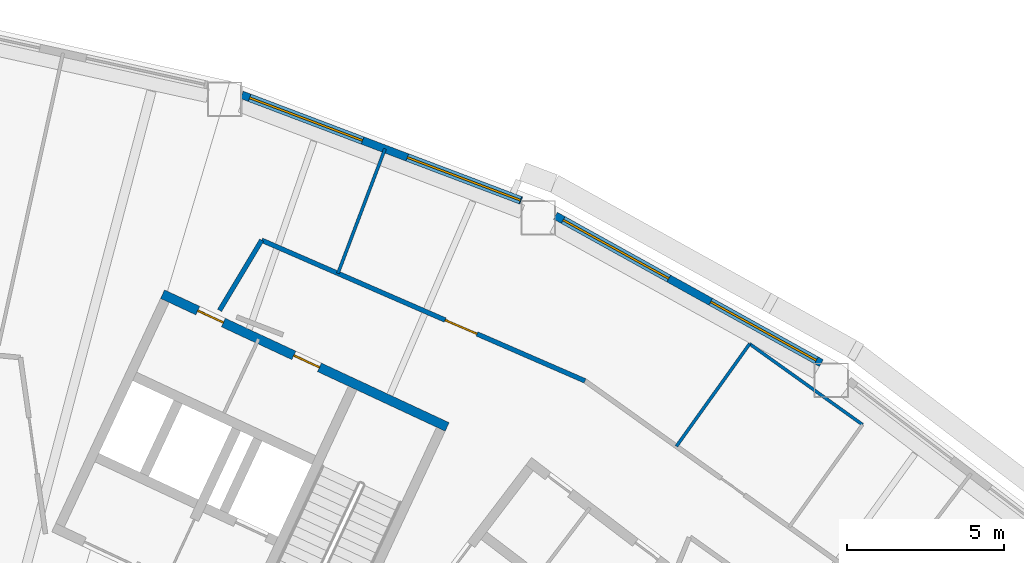
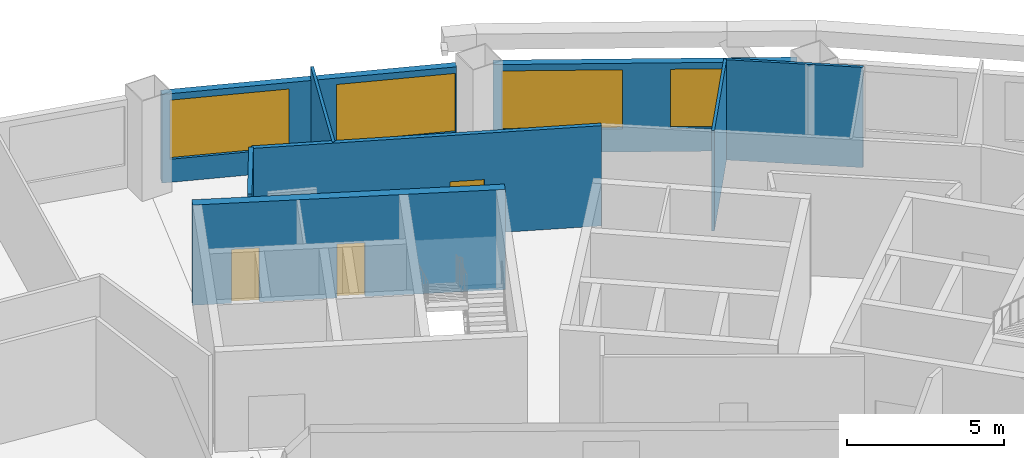
# One storey, part 8 of 13: 8 walls, 4 windows, 3 doors, 7 openings.
"""IFC4 building model written with IfcOpenShell, lengths in metres."""

from ifc_helpers import new_model, si_unit, direction, frame, frame_2d, origin, place, context, subcontext, project, spatial, rectangle, extrude, material, layer, layer_set, type_object, element, fill, save


model = new_model("IFC4")

# Units and contexts
model_context = context("Model", 3, precision=1e-05, world=origin(), true_north=direction((0.0, 1.0)))
body_context = subcontext(model_context, "Body", "Model", "MODEL_VIEW")
ifc_project = project(units=[si_unit("LENGTHUNIT", "METRE"), si_unit("AREAUNIT", "SQUARE_METRE"), si_unit("VOLUMEUNIT", "CUBIC_METRE"), si_unit("PLANEANGLEUNIT", "RADIAN"), si_unit("MASSUNIT", "GRAM", prefix="KILO")], contexts=[model_context])

# Site, building, storey
site_placement = place(None, origin())
site = spatial("IfcSite", under=ifc_project, at=site_placement, CompositionType="ELEMENT")
building_placement = place(site_placement, origin())
building = spatial("IfcBuilding", under=site, at=building_placement, Name="Tuul Gate Civic Tower", CompositionType="ELEMENT")
storey_placement = place(building_placement, frame((0.0, 0.0, 111.89990234375)))
storey = spatial("IfcBuildingStorey", under=building, at=storey_placement, Name="Level 25", CompositionType="ELEMENT", Elevation=111.89990234375)

# Wall, openings, doors
ifc_material_1 = material(Name="Concrete C50/60", Category="concrete")
ifc_layer_1 = layer(ifc_material_1, 0.300048828125)
ifc_layer_set_1 = layer_set([ifc_layer_1], Name="Concrete C50/60")
wall_type_1 = type_object("IfcWallType", Name="Core wall C50/60", PredefinedType="SHEAR", material=ifc_layer_set_1)
wall_1_placement = place(storey_placement, frame((37.993408203125, 0.181884765625, 0.0), z_axis=(0.0, 0.0, 1.0), x_axis=(-0.906310338845, 0.422612789327, 0.0)))
wall_1 = element("IfcWall", 1, at=wall_1_placement, inside=storey, type_object=wall_type_1, Name="Core wall", PredefinedType="SHEAR", context=body_context, shape_type="SweptSolid", body=[
    extrude(rectangle(XDim=9.999755859375, YDim=0.300048828125, at=frame_2d((5.0, 0.0))), origin(), (0.0, 0.0, 1.0), 3.900146484375),
])
opening_1_placement = place(wall_1_placement, frame((4.487548828125, 0.0, 0.0)))
opening_1 = element("IfcOpeningElement", 2, at=opening_1_placement, cuts=wall_1, Name="Opening H-D22", PredefinedType="OPENING", context=body_context, shape_type="SweptSolid", body=[
    extrude(rectangle(XDim=0.89990234375, YDim=2.10009765625, at=frame_2d((0.449951171875, 1.050048828125))), frame((0.0, 0.16015625, 0.0), z_axis=(0.0, -1.0, 0.0), x_axis=(1.0, 0.0, 0.0)), (0.0, 0.0, 1.0), 0.320068359375),
])
opening_2_placement = place(wall_1_placement, frame((7.862548828125, 0.0, 0.0)))
opening_2 = element("IfcOpeningElement", 3, at=opening_2_placement, cuts=wall_1, Name="Opening H-D23", PredefinedType="OPENING", context=body_context, shape_type="SweptSolid", body=[
    extrude(rectangle(XDim=0.89990234375, YDim=2.10009765625, at=frame_2d((0.449951171875, 1.050048828125))), frame((0.0, 0.16015625, 0.0), z_axis=(0.0, -1.0, 0.0), x_axis=(1.0, 0.0, 0.0)), (0.0, 0.0, 1.0), 0.320068359375),
])
ifc_material_2 = material(Name="Timber door leaf", Category="wood")
door_type_1 = type_object("IfcDoorType", Name="Door D09", OperationType="NOTDEFINED", PredefinedType="DOOR", material=ifc_material_2)
door_1_placement = place(opening_1_placement, origin())
door_1 = element("IfcDoor", 4, at=door_1_placement, inside=storey, type_object=door_type_1, Name="Door H-D22", OperationType="SINGLE_SWING_LEFT", OverallHeight=2.10009765625, OverallWidth=0.89990234375, PredefinedType="DOOR", context=body_context, shape_type="SweptSolid", body=[
    extrude(rectangle(XDim=0.89990234375, YDim=2.10009765625, at=frame_2d((0.449951171875, 1.050048828125))), frame((0.0, 0.02490234375, 0.0), z_axis=(0.0, -1.0, 0.0), x_axis=(1.0, 0.0, 0.0)), (0.0, 0.0, 1.0), 0.050048828125),
])
fill(opening_1, door_1)
door_2_placement = place(opening_2_placement, origin())
door_2 = element("IfcDoor", 5, at=door_2_placement, inside=storey, type_object=door_type_1, Name="Door H-D23", OperationType="SINGLE_SWING_RIGHT", OverallHeight=2.10009765625, OverallWidth=0.89990234375, PredefinedType="DOOR", context=body_context, shape_type="SweptSolid", body=[
    extrude(rectangle(XDim=0.89990234375, YDim=2.10009765625, at=frame_2d((0.449951171875, 1.050048828125))), frame((0.0, 0.02490234375, 0.0), z_axis=(0.0, -1.0, 0.0), x_axis=(1.0, 0.0, 0.0)), (0.0, 0.0, 1.0), 0.050048828125),
])
fill(opening_2, door_2)

# Wall, opening, door
ifc_material_3 = material(Name="Gypsum board partition")
ifc_layer_2 = layer(ifc_material_3, 0.14990234375)
ifc_layer_set_2 = layer_set([ifc_layer_2], Name="Gypsum board partition")
wall_type_2 = type_object("IfcWallType", Name="Corridor wall P150", PredefinedType="PARTITIONING", material=ifc_layer_set_2)
wall_2_placement = place(storey_placement, frame((32.088134765625, 6.127197265625, 0.0), z_axis=(0.0, 0.0, 1.0), x_axis=(0.916937971515, -0.399029768807, 0.0)))
wall_2 = element("IfcWall", 6, at=wall_2_placement, inside=storey, type_object=wall_type_2, Name="p015", PredefinedType="PARTITIONING", context=body_context, shape_type="SweptSolid", body=[
    extrude(rectangle(XDim=11.229736328125, YDim=0.14990234375, at=frame_2d((5.61474609375, 0.0))), origin(), (0.0, 0.0, 1.0), 3.900146484375),
])
opening_3_placement = place(wall_2_placement, frame((6.373291015625, 0.0, 0.0)))
opening_3 = element("IfcOpeningElement", 7, at=opening_3_placement, cuts=wall_2, Name="Opening H-D16", PredefinedType="OPENING", context=body_context, shape_type="SweptSolid", body=[
    extrude(rectangle(XDim=1.10009765625, YDim=2.10009765625, at=frame_2d((0.550048828125, 1.050048828125))), frame((0.0, 0.0849609375, 0.0), z_axis=(0.0, -1.0, 0.0), x_axis=(1.0, 0.0, 0.0)), (0.0, 0.0, 1.0), 0.169921875),
])
ifc_material_4 = material(Name="Timber door leaf", Category="wood")
door_type_2 = type_object("IfcDoorType", Name="Door D11", OperationType="NOTDEFINED", PredefinedType="DOOR", material=ifc_material_4)
door_3_placement = place(opening_3_placement, origin())
door_3 = element("IfcDoor", 8, at=door_3_placement, inside=storey, type_object=door_type_2, Name="Door H-D16", OperationType="SINGLE_SWING_RIGHT", OverallHeight=2.10009765625, OverallWidth=1.10009765625, PredefinedType="DOOR", context=body_context, shape_type="SweptSolid", body=[
    extrude(rectangle(XDim=1.10009765625, YDim=2.10009765625, at=frame_2d((0.550048828125, 1.050048828125))), frame((0.0, 0.02490234375, 0.0), z_axis=(0.0, -1.0, 0.0), x_axis=(1.0, 0.0, 0.0)), (0.0, 0.0, 1.0), 0.050048828125),
])
fill(opening_3, door_3)

# Wall
wall_3_placement = place(storey_placement, frame((30.74609375, 3.893310546875, 0.0), z_axis=(0.0, 0.0, 1.0), x_axis=(0.514785144956, 0.85731922557, 0.0)))
element("IfcWall", 9, at=wall_3_placement, inside=storey, type_object=wall_type_2, Name="p016", PredefinedType="PARTITIONING", context=body_context, shape_type="SweptSolid", body=[
    extrude(rectangle(XDim=2.60498046875, YDim=0.14990234375, at=frame_2d((1.302490234375, 0.0))), origin(), (0.0, 0.0, 1.0), 3.900146484375),
])

# Wall, openings, windows
ifc_material_5 = material(Name="Precast concrete C40/50", Category="concrete")
ifc_layer_3 = layer(ifc_material_5, 0.25)
ifc_layer_set_3 = layer_set([ifc_layer_3], Name="Precast concrete C40/50")
wall_type_3 = type_object("IfcWallType", Name="External wall", PredefinedType="STANDARD", material=ifc_layer_set_3)
wall_4_placement = place(storey_placement, frame((49.909912109375, 2.214111328125, 0.0), z_axis=(0.0, 0.0, 1.0), x_axis=(-0.874635083582, 0.484781879372, 0.0)))
wall_4 = element("IfcWall", 10, at=wall_4_placement, inside=storey, type_object=wall_type_3, Name="External wall", PredefinedType="STANDARD", context=body_context, shape_type="SweptSolid", body=[
    extrude(rectangle(XDim=9.680419921875, YDim=0.25, at=frame_2d((4.84033203125, 0.0))), origin(), (0.0, 0.0, 1.0), 3.4501953125),
])
opening_4_placement = place(wall_4_placement, frame((0.180419921875, 0.0, 0.89990234375)))
opening_4 = element("IfcOpeningElement", 11, at=opening_4_placement, cuts=wall_4, Name="Opening W22", PredefinedType="OPENING", context=body_context, shape_type="SweptSolid", body=[
    extrude(rectangle(XDim=3.85009765625, YDim=2.300048828125, at=frame_2d((1.925048828125, 1.14990234375))), frame((0.0, 0.135009765625, 0.0), z_axis=(0.0, -1.0, 0.0), x_axis=(1.0, 0.0, 0.0)), (0.0, 0.0, 1.0), 0.27001953125),
])
opening_5_placement = place(wall_4_placement, frame((5.5517578125, 0.0, 0.89990234375)))
opening_5 = element("IfcOpeningElement", 12, at=opening_5_placement, cuts=wall_4, Name="Opening W22", PredefinedType="OPENING", context=body_context, shape_type="SweptSolid", body=[
    extrude(rectangle(XDim=3.85009765625, YDim=2.300048828125, at=frame_2d((1.925048828125, 1.14990234375))), frame((0.0, 0.135009765625, 0.0), z_axis=(0.0, -1.0, 0.0), x_axis=(1.0, 0.0, 0.0)), (0.0, 0.0, 1.0), 0.27001953125),
])
ifc_material_6 = material(Name="Glass", Category="glass")
window_type = type_object("IfcWindowType", Name="Window W22 3850 x 2300", PartitioningType="SINGLE_PANEL", PredefinedType="WINDOW", material=ifc_material_6)
window_1_placement = place(opening_4_placement, origin())
window_1 = element("IfcWindow", 13, at=window_1_placement, inside=storey, type_object=window_type, Name="Window", OverallHeight=2.300048828125, OverallWidth=3.85009765625, PartitioningType="SINGLE_PANEL", PredefinedType="WINDOW", context=body_context, shape_type="SweptSolid", body=[
    extrude(rectangle(XDim=3.85009765625, YDim=2.300048828125, at=frame_2d((1.925048828125, 1.14990234375))), frame((0.0, 0.030029296875, 0.0), z_axis=(0.0, -1.0, 0.0), x_axis=(1.0, 0.0, 0.0)), (0.0, 0.0, 1.0), 0.06005859375),
])
fill(opening_4, window_1)
window_2_placement = place(opening_5_placement, origin())
window_2 = element("IfcWindow", 14, at=window_2_placement, inside=storey, type_object=window_type, Name="Window", OverallHeight=2.300048828125, OverallWidth=3.85009765625, PartitioningType="SINGLE_PANEL", PredefinedType="WINDOW", context=body_context, shape_type="SweptSolid", body=[
    extrude(rectangle(XDim=3.85009765625, YDim=2.300048828125, at=frame_2d((1.925048828125, 1.14990234375))), frame((0.0, 0.030029296875, 0.0), z_axis=(0.0, -1.0, 0.0), x_axis=(1.0, 0.0, 0.0)), (0.0, 0.0, 1.0), 0.06005859375),
])
fill(opening_5, window_2)

wall_5_placement = place(storey_placement, frame((40.358154296875, 7.389892578125, 0.0), z_axis=(0.0, 0.0, 1.0), x_axis=(-0.935373880855, 0.353660434618, 0.0)))
wall_5 = element("IfcWall", 15, at=wall_5_placement, inside=storey, type_object=wall_type_3, Name="External wall", PredefinedType="STANDARD", context=body_context, shape_type="SweptSolid", body=[
    extrude(rectangle(XDim=9.518310546875, YDim=0.25, at=frame_2d((4.75927734375, 0.0))), origin(), (0.0, 0.0, 1.0), 3.4501953125),
])
opening_6_placement = place(wall_5_placement, frame((0.0341796875, 0.0, 0.89990234375)))
opening_6 = element("IfcOpeningElement", 16, at=opening_6_placement, cuts=wall_5, Name="Opening W22", PredefinedType="OPENING", context=body_context, shape_type="SweptSolid", body=[
    extrude(rectangle(XDim=3.85009765625, YDim=2.300048828125, at=frame_2d((1.925048828125, 1.14990234375))), frame((0.0, 0.135009765625, 0.0), z_axis=(0.0, -1.0, 0.0), x_axis=(1.0, 0.0, 0.0)), (0.0, 0.0, 1.0), 0.27001953125),
])
opening_7_placement = place(wall_5_placement, frame((5.4052734375, 0.0, 0.89990234375)))
opening_7 = element("IfcOpeningElement", 17, at=opening_7_placement, cuts=wall_5, Name="Opening W22", PredefinedType="OPENING", context=body_context, shape_type="SweptSolid", body=[
    extrude(rectangle(XDim=3.85009765625, YDim=2.300048828125, at=frame_2d((1.925048828125, 1.14990234375))), frame((0.0, 0.135009765625, 0.0), z_axis=(0.0, -1.0, 0.0), x_axis=(1.0, 0.0, 0.0)), (0.0, 0.0, 1.0), 0.27001953125),
])
window_3_placement = place(opening_6_placement, origin())
window_3 = element("IfcWindow", 18, at=window_3_placement, inside=storey, type_object=window_type, Name="Window", OverallHeight=2.300048828125, OverallWidth=3.85009765625, PartitioningType="SINGLE_PANEL", PredefinedType="WINDOW", context=body_context, shape_type="SweptSolid", body=[
    extrude(rectangle(XDim=3.85009765625, YDim=2.300048828125, at=frame_2d((1.925048828125, 1.14990234375))), frame((0.0, 0.030029296875, 0.0), z_axis=(0.0, -1.0, 0.0), x_axis=(1.0, 0.0, 0.0)), (0.0, 0.0, 1.0), 0.06005859375),
])
fill(opening_6, window_3)
window_4_placement = place(opening_7_placement, origin())
window_4 = element("IfcWindow", 19, at=window_4_placement, inside=storey, type_object=window_type, Name="Window", OverallHeight=2.300048828125, OverallWidth=3.85009765625, PartitioningType="SINGLE_PANEL", PredefinedType="WINDOW", context=body_context, shape_type="SweptSolid", body=[
    extrude(rectangle(XDim=3.85009765625, YDim=2.300048828125, at=frame_2d((1.925048828125, 1.14990234375))), frame((0.0, 0.030029296875, 0.0), z_axis=(0.0, -1.0, 0.0), x_axis=(1.0, 0.0, 0.0)), (0.0, 0.0, 1.0), 0.06005859375),
])
fill(opening_7, window_4)

# Walls
ifc_material_7 = material(Name="Gypsum board partition")
ifc_layer_4 = layer(ifc_material_7, 0.10009765625)
ifc_layer_set_4 = layer_set([ifc_layer_4], Name="Gypsum board partition")
wall_type_4 = type_object("IfcWallType", Name="Partition P100", PredefinedType="PARTITIONING", material=ifc_layer_set_4)
wall_6_placement = place(storey_placement, frame((45.294677734375, -0.435546875, 0.0), z_axis=(0.0, 0.0, 1.0), x_axis=(0.581865781351, 0.813284828638, 0.0)))
element("IfcWall", 20, at=wall_6_placement, inside=storey, type_object=wall_type_4, Name="p011", PredefinedType="PARTITIONING", context=body_context, shape_type="SweptSolid", body=[
    extrude(rectangle(XDim=4.010009765625, YDim=0.10009765625, at=frame_2d((2.0048828125, 0.0))), origin(), (0.0, 0.0, 1.0), 3.900146484375),
])
wall_7_placement = place(storey_placement, frame((47.6279296875, 2.82568359375, 0.0), z_axis=(0.0, 0.0, 1.0), x_axis=(0.813266704996, -0.581891112275, 0.0)))
element("IfcWall", 21, at=wall_7_placement, inside=storey, type_object=wall_type_4, Name="p012", PredefinedType="PARTITIONING", context=body_context, shape_type="SweptSolid", body=[
    extrude(rectangle(XDim=4.420166015625, YDim=0.10009765625, at=frame_2d((2.2099609375, 0.0))), origin(), (0.0, 0.0, 1.0), 3.900146484375),
])
wall_8_placement = place(storey_placement, frame((34.515625, 5.07080078125, 0.0), z_axis=(0.0, 0.0, 1.0), x_axis=(0.353734196343, 0.935345988572, 0.0)))
element("IfcWall", 22, at=wall_8_placement, inside=storey, type_object=wall_type_4, Name="p020", PredefinedType="PARTITIONING", context=body_context, shape_type="SweptSolid", body=[
    extrude(rectangle(XDim=4.240478515625, YDim=0.10009765625, at=frame_2d((2.1201171875, 0.0))), origin(), (0.0, 0.0, 1.0), 3.900146484375),
])

save(model, "model.ifc")
